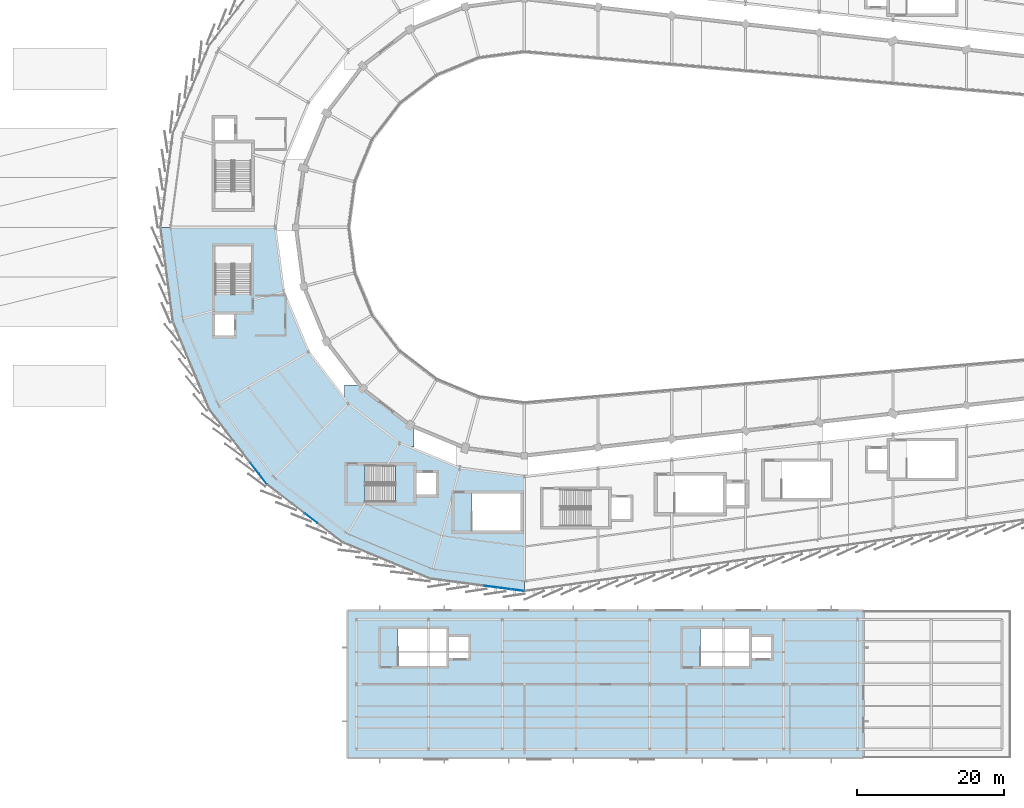
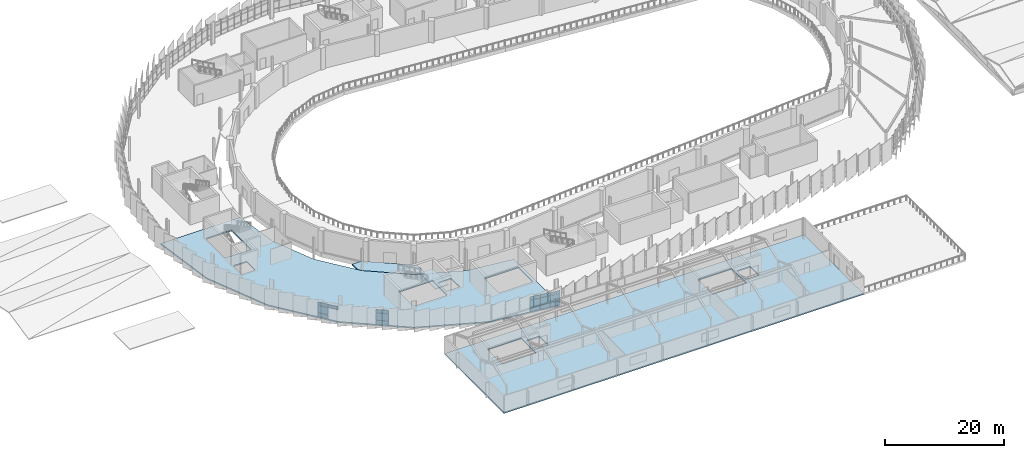
# One storey, part 60 of 87: 16 plates, 4 slabs, 4 elements without a shape of their own.
"""IFC4 building model written with IfcOpenShell, lengths in metres."""

from ifc_helpers import new_model, si_unit, direction, frame, origin, origin_2d, place, context, subcontext, project, spatial, polyline, rectangle, outline, extrude, material, layer, layer_set, type_object, element, aggregate, save


model = new_model("IFC4")

# Units and contexts
model_context = context("Model", 3, precision=1e-05, world=origin(), true_north=direction((0.0, 1.0)))
body_context = subcontext(model_context, "Body", "Model", "MODEL_VIEW")
ifc_project = project(units=[si_unit("LENGTHUNIT", "METRE"), si_unit("AREAUNIT", "SQUARE_METRE"), si_unit("VOLUMEUNIT", "CUBIC_METRE"), si_unit("PLANEANGLEUNIT", "RADIAN"), si_unit("MASSUNIT", "GRAM", prefix="KILO")], contexts=[model_context])

# Site, building, storey
site_placement = place(None, origin())
site = spatial("IfcSite", under=ifc_project, at=site_placement, CompositionType="ELEMENT")
building_placement = place(site_placement, origin())
building = spatial("IfcBuilding", under=site, at=building_placement, Name="Sohan Crest Arena", CompositionType="ELEMENT")
storey_placement = place(building_placement, frame((0.0, 0.0, 18.0)))
storey = spatial("IfcBuildingStorey", under=building, at=storey_placement, Name="L04", CompositionType="ELEMENT", Elevation=18.0)

# Curtain wall, plates
ifc_material_1 = material(Name="Thermally broken anodised aluminium", Category="aluminium")
ifc_layer_1 = layer(ifc_material_1, 0.219970703125, Name="Thermally broken anodised aluminium")
ifc_layer_set_1 = layer_set([ifc_layer_1], Name="Thermally broken anodised aluminium")
curtain_wall_type_1 = type_object("IfcCurtainWallType", Name="ARC-CW03", PredefinedType="NOTDEFINED", material=ifc_layer_set_1)
curtain_wall_1_placement = place(storey_placement, origin())
curtain_wall_1 = element("IfcCurtainWall", 1, at=curtain_wall_1_placement, inside=storey, type_object=curtain_wall_type_1, Name="Unitised curtain wall CW-120", PredefinedType="NOTDEFINED")
ifc_material_2 = material(Name="Low-E double-glazed insulated glass", Category="glass")
ifc_layer_2 = layer(ifc_material_2, 0.028076171875, Name="Low-E double-glazed insulated glass")
ifc_layer_set_2 = layer_set([ifc_layer_2], Name="Low-E double-glazed insulated glass")
plate_type_1 = type_object("IfcPlateType", Name="ARC-CNP01", PredefinedType="CURTAIN_PANEL", material=ifc_layer_set_2)
plate_1_placement = place(storey_placement, frame((61.423583984375, 45.294189453125, 0.070068359375), z_axis=(0.0, 0.0, 1.0), x_axis=(0.60871994181, -0.793385172815, 0.0)))
plate_1 = element("IfcPlate", 2, at=plate_1_placement, type_object=plate_type_1, Name="CW-120 panel 6.1", PredefinedType="CURTAIN_PANEL", context=body_context, shape_type="SweptSolid", body=[
    extrude(rectangle(XDim=1.780517578125, YDim=0.028076171875, at=origin_2d()), origin(), (0.0, 0.0, 1.0), 0.794921875),
])
plate_2_placement = place(storey_placement, frame((61.423583984375, 45.294189453125, 0.93505859375), z_axis=(0.0, 0.0, 1.0), x_axis=(0.60871994181, -0.793385172815, 0.0)))
plate_2 = element("IfcPlate", 3, at=plate_2_placement, type_object=plate_type_1, Name="CW-120 panel 6.2", PredefinedType="CURTAIN_PANEL", context=body_context, shape_type="SweptSolid", body=[
    extrude(rectangle(XDim=1.780517578125, YDim=0.028076171875, at=origin_2d()), origin(), (0.0, 0.0, 1.0), 1.449951171875),
])
plate_3_placement = place(storey_placement, frame((61.423583984375, 45.294189453125, 2.455078125), z_axis=(0.0, 0.0, 1.0), x_axis=(0.60871994181, -0.793385172815, 0.0)))
plate_3 = element("IfcPlate", 4, at=plate_3_placement, type_object=plate_type_1, Name="CW-120 panel 6.3", PredefinedType="CURTAIN_PANEL", context=body_context, shape_type="SweptSolid", body=[
    extrude(rectangle(XDim=1.780517578125, YDim=0.028076171875, at=origin_2d()), origin(), (0.0, 0.0, 1.0), 0.594970703125),
])
plate_4_placement = place(storey_placement, frame((62.53466796875, 43.845947265625, 2.455078125), z_axis=(0.0, 0.0, 1.0), x_axis=(0.60871994181, -0.793385172815, 0.0)))
plate_4 = element("IfcPlate", 5, at=plate_4_placement, type_object=plate_type_1, Name="CW-120 panel 7.3", PredefinedType="CURTAIN_PANEL", context=body_context, shape_type="SweptSolid", body=[
    extrude(rectangle(XDim=1.75048828125, YDim=0.028076171875, at=origin_2d()), origin(), (0.0, 0.0, 1.0), 0.594970703125),
])
aggregate(curtain_wall_1, [plate_1, plate_2, plate_3, plate_4])

ifc_layer_3 = layer(ifc_material_1, 0.239990234375, Name="Thermally broken anodised aluminium")
ifc_layer_set_3 = layer_set([ifc_layer_3], Name="Thermally broken anodised aluminium")
curtain_wall_type_2 = type_object("IfcCurtainWallType", Name="ARC-CW04", PredefinedType="NOTDEFINED", material=ifc_layer_set_3)
curtain_wall_2_placement = place(storey_placement, origin())
curtain_wall_2 = element("IfcCurtainWall", 6, at=curtain_wall_2_placement, inside=storey, type_object=curtain_wall_type_2, Name="Unitised curtain wall CW-121", PredefinedType="NOTDEFINED")
ifc_layer_4 = layer(ifc_material_2, 0.031982421875, Name="Low-E double-glazed insulated glass")
ifc_layer_set_4 = layer_set([ifc_layer_4], Name="Low-E double-glazed insulated glass")
plate_type_2 = type_object("IfcPlateType", Name="ARC-CNP02", PredefinedType="CURTAIN_PANEL", material=ifc_layer_set_4)
plate_5_placement = place(storey_placement, frame((69.066162109375, 38.529541015625, 0.06005859375), z_axis=(0.0, 0.0, 1.0), x_axis=(0.793385172815, -0.60871994181, 0.0)))
plate_5 = element("IfcPlate", 7, at=plate_5_placement, type_object=plate_type_2, Name="CW-121 panel 4.1", PredefinedType="CURTAIN_PANEL", context=body_context, shape_type="SweptSolid", body=[
    extrude(rectangle(XDim=2.08203125, YDim=0.031982421875, at=origin_2d()), origin(), (0.0, 0.0, 1.0), 0.81005859375),
])
plate_6_placement = place(storey_placement, frame((69.066162109375, 38.529541015625, 0.929931640625), z_axis=(0.0, 0.0, 1.0), x_axis=(0.793385172815, -0.60871994181, 0.0)))
plate_6 = element("IfcPlate", 8, at=plate_6_placement, type_object=plate_type_2, Name="CW-121 panel 4.2", PredefinedType="CURTAIN_PANEL", context=body_context, shape_type="SweptSolid", body=[
    extrude(rectangle(XDim=2.08203125, YDim=0.031982421875, at=origin_2d()), origin(), (0.0, 0.0, 1.0), 1.4599609375),
])
plate_7_placement = place(storey_placement, frame((69.066162109375, 38.529541015625, 2.44970703125), z_axis=(0.0, 0.0, 1.0), x_axis=(0.793385172815, -0.60871994181, 0.0)))
plate_7 = element("IfcPlate", 9, at=plate_7_placement, type_object=plate_type_2, Name="CW-121 panel 4.3", PredefinedType="CURTAIN_PANEL", context=body_context, shape_type="SweptSolid", body=[
    extrude(rectangle(XDim=2.08203125, YDim=0.031982421875, at=origin_2d()), origin(), (0.0, 0.0, 1.0), 0.610107421875),
])
aggregate(curtain_wall_2, [plate_5, plate_6, plate_7])

ifc_layer_5 = layer(ifc_material_1, 0.2099609375, Name="Thermally broken anodised aluminium")
ifc_layer_set_5 = layer_set([ifc_layer_5], Name="Thermally broken anodised aluminium")
curtain_wall_type_3 = type_object("IfcCurtainWallType", Name="ARC-CW06", PredefinedType="NOTDEFINED", material=ifc_layer_set_5)
curtain_wall_3_placement = place(storey_placement, origin())
curtain_wall_3 = element("IfcCurtainWall", 10, at=curtain_wall_3_placement, inside=storey, type_object=curtain_wall_type_3, Name="Unitised curtain wall CW-123", PredefinedType="NOTDEFINED")
ifc_material_3 = material(Name="Insulated polychrome ceramic spandrel panel", Category="masonry")
ifc_layer_6 = layer(ifc_material_3, 0.0419921875, Name="Insulated polychrome ceramic spandrel panel")
ifc_layer_set_6 = layer_set([ifc_layer_6], Name="Insulated polychrome ceramic spandrel panel")
plate_type_3 = type_object("IfcPlateType", Name="ARC-CNP04", PredefinedType="CURTAIN_PANEL", material=ifc_layer_set_6)
plate_8_placement = place(storey_placement, frame((93.438232421875, 29.250732421875, 0.070068359375), z_axis=(0.0, 0.0, 1.0), x_axis=(0.991440816386, -0.130556913275, 0.0)))
plate_8 = element("IfcPlate", 11, at=plate_8_placement, type_object=plate_type_3, Name="CW-123 panel 5.1", PredefinedType="CURTAIN_PANEL", context=body_context, shape_type="SweptSolid", body=[
    extrude(rectangle(XDim=1.765380859375, YDim=0.0419921875, at=origin_2d()), origin(), (0.0, 0.0, 1.0), 0.794921875),
])
plate_9_placement = place(storey_placement, frame((93.438232421875, 29.250732421875, 0.93505859375), z_axis=(0.0, 0.0, 1.0), x_axis=(0.991440816386, -0.130556913275, 0.0)))
plate_9 = element("IfcPlate", 12, at=plate_9_placement, type_object=plate_type_3, Name="CW-123 panel 5.2", PredefinedType="CURTAIN_PANEL", context=body_context, shape_type="SweptSolid", body=[
    extrude(rectangle(XDim=1.765380859375, YDim=0.0419921875, at=origin_2d()), origin(), (0.0, 0.0, 1.0), 1.449951171875),
])
plate_10_placement = place(storey_placement, frame((93.438232421875, 29.250732421875, 2.455078125), z_axis=(0.0, 0.0, 1.0), x_axis=(0.991440816386, -0.130556913275, 0.0)))
plate_10 = element("IfcPlate", 13, at=plate_10_placement, type_object=plate_type_3, Name="CW-123 panel 5.3", PredefinedType="CURTAIN_PANEL", context=body_context, shape_type="SweptSolid", body=[
    extrude(rectangle(XDim=1.765380859375, YDim=0.0419921875, at=origin_2d()), origin(), (0.0, 0.0, 1.0), 0.594970703125),
])
plate_11_placement = place(storey_placement, frame((95.262939453125, 29.010498046875, 0.070068359375), z_axis=(0.0, 0.0, 1.0), x_axis=(0.991440816386, -0.130556913275, 0.0)))
plate_11 = element("IfcPlate", 14, at=plate_11_placement, type_object=plate_type_3, Name="CW-123 panel 6.1", PredefinedType="CURTAIN_PANEL", context=body_context, shape_type="SweptSolid", body=[
    extrude(rectangle(XDim=1.765380859375, YDim=0.0419921875, at=origin_2d()), origin(), (0.0, 0.0, 1.0), 0.794921875),
])
plate_12_placement = place(storey_placement, frame((95.262939453125, 29.010498046875, 0.93505859375), z_axis=(0.0, 0.0, 1.0), x_axis=(0.991440816386, -0.130556913275, 0.0)))
plate_12 = element("IfcPlate", 15, at=plate_12_placement, type_object=plate_type_3, Name="CW-123 panel 6.2", PredefinedType="CURTAIN_PANEL", context=body_context, shape_type="SweptSolid", body=[
    extrude(rectangle(XDim=1.765380859375, YDim=0.0419921875, at=origin_2d()), origin(), (0.0, 0.0, 1.0), 1.449951171875),
])
plate_13_placement = place(storey_placement, frame((95.262939453125, 29.010498046875, 2.455078125), z_axis=(0.0, 0.0, 1.0), x_axis=(0.991440816386, -0.130556913275, 0.0)))
plate_13 = element("IfcPlate", 16, at=plate_13_placement, type_object=plate_type_3, Name="CW-123 panel 6.3", PredefinedType="CURTAIN_PANEL", context=body_context, shape_type="SweptSolid", body=[
    extrude(rectangle(XDim=1.765380859375, YDim=0.0419921875, at=origin_2d()), origin(), (0.0, 0.0, 1.0), 0.594970703125),
])
plate_14_placement = place(storey_placement, frame((97.069091796875, 28.772705078125, 0.070068359375), z_axis=(0.0, 0.0, 1.0), x_axis=(0.991440816386, -0.130556913275, 0.0)))
plate_14 = element("IfcPlate", 17, at=plate_14_placement, type_object=plate_type_3, Name="CW-123 panel 7.1", PredefinedType="CURTAIN_PANEL", context=body_context, shape_type="SweptSolid", body=[
    extrude(rectangle(XDim=1.72802734375, YDim=0.0419921875, at=origin_2d()), origin(), (0.0, 0.0, 1.0), 0.794921875),
])
plate_15_placement = place(storey_placement, frame((97.069091796875, 28.772705078125, 0.93505859375), z_axis=(0.0, 0.0, 1.0), x_axis=(0.991440816386, -0.130556913275, 0.0)))
plate_15 = element("IfcPlate", 18, at=plate_15_placement, type_object=plate_type_3, Name="CW-123 panel 7.2", PredefinedType="CURTAIN_PANEL", context=body_context, shape_type="SweptSolid", body=[
    extrude(rectangle(XDim=1.72802734375, YDim=0.0419921875, at=origin_2d()), origin(), (0.0, 0.0, 1.0), 1.449951171875),
])
plate_16_placement = place(storey_placement, frame((97.069091796875, 28.772705078125, 2.455078125), z_axis=(0.0, 0.0, 1.0), x_axis=(0.991440816386, -0.130556913275, 0.0)))
plate_16 = element("IfcPlate", 19, at=plate_16_placement, type_object=plate_type_3, Name="CW-123 panel 7.3", PredefinedType="CURTAIN_PANEL", context=body_context, shape_type="SweptSolid", body=[
    extrude(rectangle(XDim=1.72802734375, YDim=0.0419921875, at=origin_2d()), origin(), (0.0, 0.0, 1.0), 0.594970703125),
])
aggregate(curtain_wall_3, [plate_8, plate_9, plate_10, plate_11, plate_12, plate_13, plate_14, plate_15, plate_16])

# Slabs
ifc_material_4 = material(Name="Concrete C40/50", Category="concrete")
ifc_layer_7 = layer(ifc_material_4, 0.25, Name="Concrete C40/50")
ifc_layer_set_7 = layer_set([ifc_layer_7], Name="Concrete C40/50")
slab_type_1 = type_object("IfcSlabType", Name="SL-FLR3", PredefinedType="FLOOR", material=ifc_layer_set_7)
slab_1_placement = place(storey_placement, frame((0.0, 0.0, -0.25)))
element("IfcSlab", 20, at=slab_1_placement, inside=storey, type_object=slab_type_1, Name="Concourse ring L04 sector 2 SL-L04-V2S2", PredefinedType="FLOOR", context=body_context, shape_type="SweptSolid", body=[
    extrude(outline(polyline([(63.10400390625, 43.10400390625), (55.261962890625, 53.324951171875), (50.33203125, 65.22705078125), (48.64990234375, 78.0), (64.199951171875, 78.0), (65.35205078125, 69.251953125), (68.72802734375, 61.10009765625), (74.10009765625, 54.10009765625), (81.10009765625, 48.72802734375), (89.251953125, 45.35205078125), (98.0, 44.199951171875), (98.0, 28.64990234375), (85.22705078125, 30.33203125), (73.324951171875, 35.261962890625), (63.10400390625, 43.10400390625)]), holes=[polyline([(61.0, 75.449951171875), (56.0, 75.449951171875), (56.0, 68.8701171875), (61.0, 68.8701171875), (61.0, 75.449951171875)]), polyline([(58.60009765625, 63.300048828125), (58.60009765625, 66.199951171875), (56.0, 66.199951171875), (56.0, 63.300048828125), (58.60009765625, 63.300048828125)]), polyline([(82.949951171875, 45.699951171875), (76.3701171875, 45.699951171875), (76.3701171875, 40.699951171875), (82.949951171875, 40.699951171875), (82.949951171875, 45.699951171875)]), polyline([(86.0, 41.75), (86.0, 44.64990234375), (83.39990234375, 44.64990234375), (83.39990234375, 41.75), (86.0, 41.75)]), polyline([(97.449951171875, 41.860107421875), (90.8701171875, 41.860107421875), (90.8701171875, 36.860107421875), (97.449951171875, 36.860107421875), (97.449951171875, 41.860107421875)])]), origin(), (0.0, 0.0, 1.0), 0.25),
])
slab_2_placement = place(storey_placement, frame((0.0, 0.0, -0.25)))
element("IfcSlab", 21, at=slab_2_placement, inside=storey, type_object=slab_type_1, Name="BOH wing L04 plant floor slab SL-L04-V5IN", PredefinedType="FLOOR", context=body_context, shape_type="SweptSolid", body=[
    extrude(outline(polyline([(74.0, 6.0), (74.0, 26.0), (144.0, 26.0), (144.0, 6.0), (74.0, 6.0)]), holes=[polyline([(87.449951171875, 18.5), (87.449951171875, 23.5), (80.8701171875, 23.5), (80.8701171875, 18.5), (87.449951171875, 18.5)]), polyline([(87.800048828125, 19.550048828125), (90.39990234375, 19.550048828125), (90.39990234375, 22.449951171875), (87.800048828125, 22.449951171875), (87.800048828125, 19.550048828125)]), polyline([(121.8701171875, 23.5), (121.8701171875, 18.5), (128.449951171875, 18.5), (128.449951171875, 23.5), (121.8701171875, 23.5)]), polyline([(131.449951171875, 22.449951171875), (128.85009765625, 22.449951171875), (128.85009765625, 19.550048828125), (131.449951171875, 19.550048828125), (131.449951171875, 22.449951171875)])]), origin(), (0.0, 0.0, 1.0), 0.25),
])
slab_3_placement = place(storey_placement, frame((0.0, 0.0, -0.25)))
element("IfcSlab", 22, at=slab_3_placement, inside=storey, type_object=slab_type_1, Name="Seismic joint threshold slab L04 SL-TH-L04-09", PredefinedType="FLOOR", context=body_context, shape_type="SweptSolid", body=[
    extrude(outline(polyline([(81.10009765625, 48.72802734375), (74.10009765625, 54.10009765625), (73.60009765625, 54.751953125), (73.60009765625, 56.580078125), (75.696044921875, 56.580078125), (76.080078125, 56.080078125), (82.5, 51.153076171875), (83.0, 50.946044921875), (83.0, 48.22802734375), (82.306884765625, 48.22802734375), (81.10009765625, 48.72802734375)])), origin(), (0.0, 0.0, 1.0), 0.25),
])

# Stair, slab
stair_type = type_object("IfcStairType", Name="ST-450", PredefinedType="TWO_STRAIGHT_RUN_STAIR", material=ifc_material_4)
stair_placement = place(storey_placement, origin())
stair = element("IfcStair", 23, at=stair_placement, inside=storey, type_object=stair_type, Name="Protected exit stair ST03-L04", PredefinedType="TWO_STRAIGHT_RUN_STAIR")
ifc_layer_8 = layer(ifc_material_4, 0.199951171875, Name="Concrete C40/50")
ifc_layer_set_8 = layer_set([ifc_layer_8], Name="Concrete C40/50")
slab_type_2 = type_object("IfcSlabType", Name="SL-LND1", PredefinedType="LANDING", material=ifc_layer_set_8)
slab_4_placement = place(storey_placement, frame((0.0, 0.0, 2.050048828125)))
slab_4 = element("IfcSlab", 24, at=slab_4_placement, type_object=slab_type_2, Name="ST03-L04 landing 1", PredefinedType="LANDING", context=body_context, shape_type="SweptSolid", body=[
    extrude(outline(polyline([(80.530029296875, 40.550048828125), (83.10009765625, 40.550048828125), (83.10009765625, 45.85009765625), (80.530029296875, 45.85009765625), (80.530029296875, 40.550048828125)])), origin(), (0.0, 0.0, 1.0), 0.199951171875),
])
aggregate(stair, [slab_4])

save(model, "model.ifc")
